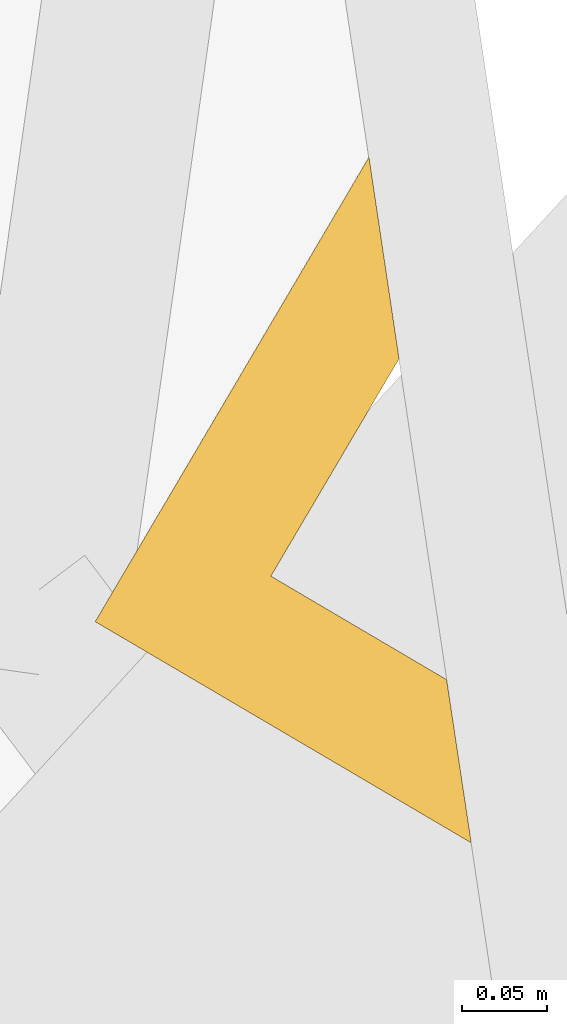
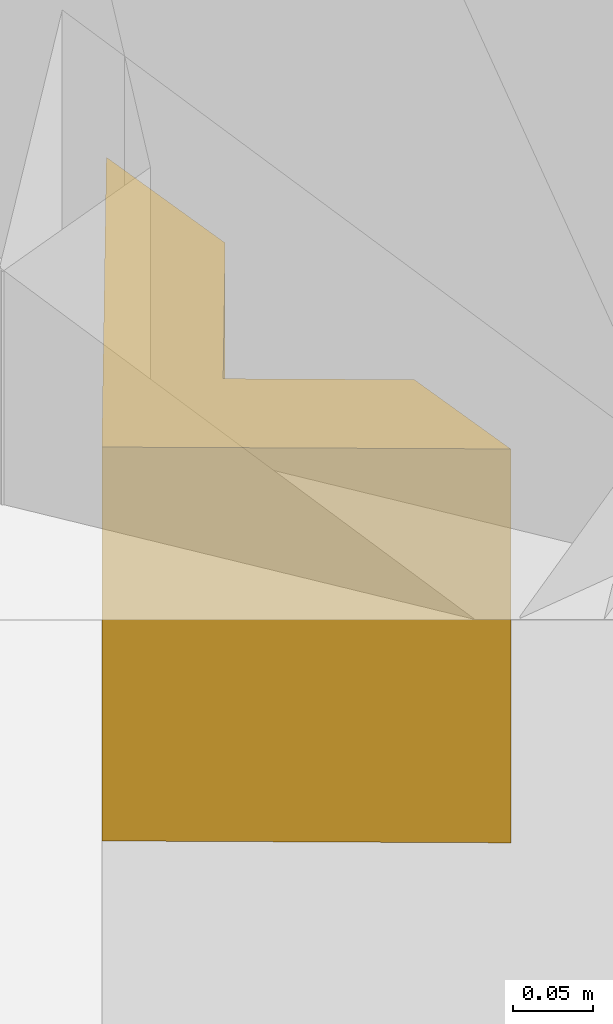
# One storey, part 27 of 27: 1 covering.
"""IFC4 building model written with IfcOpenShell, lengths in metres."""

from ifc_helpers import new_model, si_unit, direction, frame, origin, place, context, subcontext, project, spatial, polyline, outline, extrude, material, layer, layer_set, type_object, element, save


model = new_model("IFC4")

# Units and contexts
model_context = context("Model", 3, precision=1e-05, world=origin(), true_north=direction((0.0, 1.0)))
body_context = subcontext(model_context, "Body", "Model", "MODEL_VIEW")
ifc_project = project(units=[si_unit("LENGTHUNIT", "METRE"), si_unit("AREAUNIT", "SQUARE_METRE"), si_unit("VOLUMEUNIT", "CUBIC_METRE"), si_unit("PLANEANGLEUNIT", "RADIAN"), si_unit("MASSUNIT", "GRAM", prefix="KILO")], contexts=[model_context])

# Site, building, storey
site_placement = place(None, origin())
site = spatial("IfcSite", under=ifc_project, at=site_placement, CompositionType="ELEMENT")
building_placement = place(site_placement, origin())
building = spatial("IfcBuilding", under=site, at=building_placement, Name="Trine Commons Tower", CompositionType="ELEMENT")
storey_placement = place(building_placement, frame((0.0, 0.0, 193.5)))
storey = spatial("IfcBuildingStorey", under=building, at=storey_placement, Name="L50", CompositionType="ELEMENT", Elevation=193.5)

# Covering
ifc_material = material(Name="Limestone, honed", Category="masonry")
ifc_layer = layer(ifc_material, 0.074951171875)
ifc_layer_set = layer_set([ifc_layer], Name="Limestone, honed")
covering_type = type_object("IfcCoveringType", Name="Limestone spandrel panel 75", PredefinedType="CLADDING", material=ifc_layer_set)
covering_placement = place(storey_placement, frame((0.0, 0.0, -0.300048828125)))
element("IfcCovering", 1, at=covering_placement, inside=storey, type_object=covering_type, Name="Limestone spandrel panel 5-07", PredefinedType="CLADDING", context=body_context, shape_type="SweptSolid", body=[
    extrude(outline(polyline([(93.313232421875, 87.908935546875), (93.38818359375, 88.0361328125), (93.37060546875, 88.154052734375), (93.21044921875, 87.88232421875), (93.430419921875, 87.7529296875), (93.416015625, 87.848388671875), (93.313232421875, 87.908935546875)])), origin(), (0.0, 0.0, 1.0), 0.300048828125),
])

save(model, "model.ifc")
